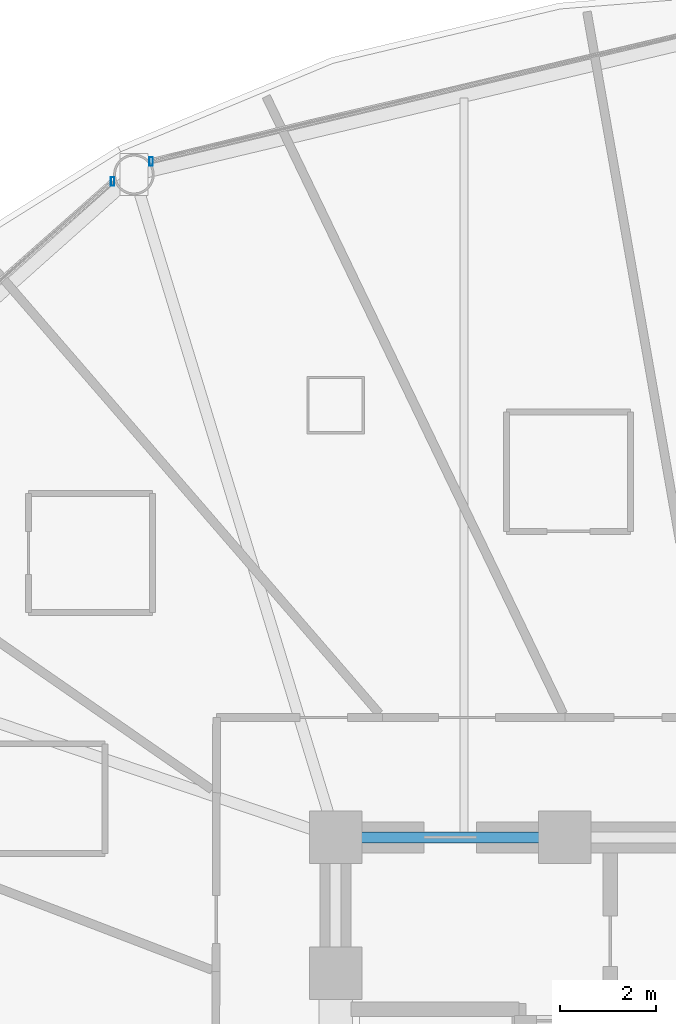
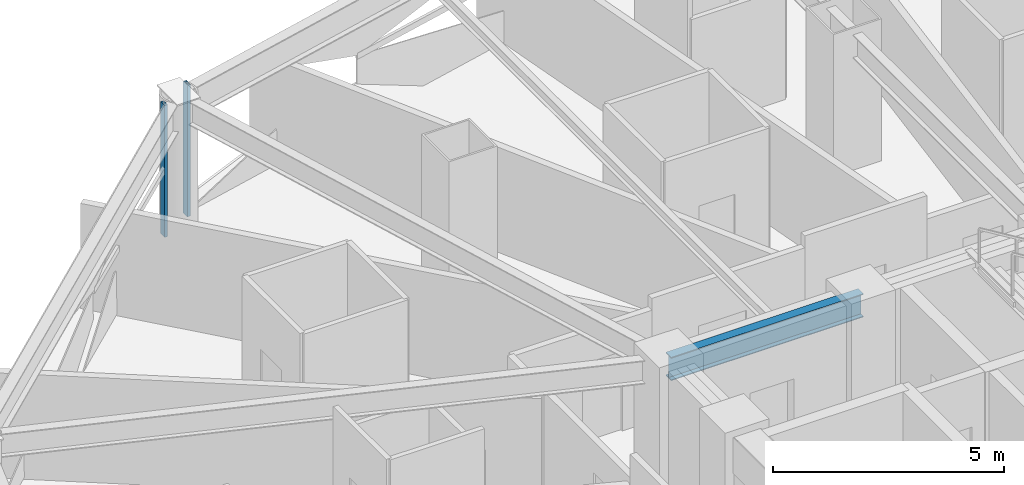
# One storey, part 15 of 33: 2 members, 1 beam, 2 elements without a shape of their own.
"""IFC4 building model written with IfcOpenShell, lengths in metres."""

from ifc_helpers import new_model, si_unit, direction, frame, origin, origin_2d, place, context, subcontext, project, spatial, hollow_rectangle, i_section, extrude, material, layer, layer_set, material_profile, profile_set, type_object, element, aggregate, save


model = new_model("IFC4")

# Units and contexts
model_context = context("Model", 3, precision=1e-05, world=origin(), true_north=direction((0.0, 1.0)))
body_context = subcontext(model_context, "Body", "Model", "MODEL_VIEW")
ifc_project = project(units=[si_unit("LENGTHUNIT", "METRE"), si_unit("AREAUNIT", "SQUARE_METRE"), si_unit("VOLUMEUNIT", "CUBIC_METRE"), si_unit("PLANEANGLEUNIT", "RADIAN"), si_unit("MASSUNIT", "GRAM", prefix="KILO")], contexts=[model_context])

# Site, building, storey
site_placement = place(None, origin())
site = spatial("IfcSite", under=ifc_project, at=site_placement, CompositionType="ELEMENT")
building_placement = place(site_placement, origin())
building = spatial("IfcBuilding", under=site, at=building_placement, Name="Vantalir Tower", CompositionType="ELEMENT")
storey_placement = place(building_placement, frame((0.0, 0.0, 68.25)))
storey = spatial("IfcBuildingStorey", under=building, at=storey_placement, Name="L16", CompositionType="ELEMENT", Elevation=68.25)

# Beam
ifc_material_1 = material(Name="Steel S355", Category="steel")
ifc_material_profile_1 = material_profile(ifc_material_1, i_section(OverallWidth=0.22998046875, OverallDepth=0.616943359375, WebThickness=0.01318359375, FlangeThickness=0.022216796875, at=origin_2d()), Name="Steel S355")
ifc_profile_set_1 = profile_set([ifc_material_profile_1], Name="Steel S355")
beam_type = type_object("IfcBeamType", Name="BM-RB-610x229", PredefinedType="BEAM", material=ifc_profile_set_1)
beam_placement = place(storey_placement, frame((26.699951171875, 32.449951171875, 3.261962890625), z_axis=(-1.0, 0.0, 0.0), x_axis=(0.0, -1.0, 0.0)))
element("IfcBeam", 1, at=beam_placement, inside=storey, type_object=beam_type, Name="L16 Core Coupling Girder 11", PredefinedType="BEAM", context=body_context, shape_type="SweptSolid", body=[
    extrude(i_section(OverallWidth=0.22998046875, OverallDepth=0.616943359375, WebThickness=0.01318359375, FlangeThickness=0.022216796875, at=origin_2d()), origin(), (0.0, 0.0, 1.0), 4.800048828125),
])

# Curtain wall, member
ifc_material_2 = material(Name="Champagne-silver PVDF aluminium and double-silver Low-E glass", Category="aluminium")
ifc_layer = layer(ifc_material_2, 0.18994140625)
ifc_layer_set = layer_set([ifc_layer], Name="Champagne-silver PVDF aluminium and double-silver Low-E glass")
curtain_wall_type = type_object("IfcCurtainWallType", Name="CW-DIAMOND-Z1", PredefinedType="USERDEFINED", material=ifc_layer_set)
curtain_wall_1_placement = place(storey_placement, origin())
curtain_wall_1 = element("IfcCurtainWall", 2, at=curtain_wall_1_placement, inside=storey, type_object=curtain_wall_type, Name="L16 Quilted Pyramid-Diamond Curtain Wall S04", ObjectType="UNITISED CURTAIN WALL", PredefinedType="USERDEFINED")
ifc_material_3 = material(Name="Champagne-silver PVDF aluminium 6063-T6", Category="aluminium")
ifc_material_profile_2 = material_profile(ifc_material_3, hollow_rectangle(XDim=0.074951171875, YDim=0.179931640625, WallThickness=0.00390625, at=origin_2d()), Name="Champagne-silver PVDF aluminium 6063-T6")
ifc_profile_set_2 = profile_set([ifc_material_profile_2], Name="Champagne-silver PVDF aluminium 6063-T6")
member_type = type_object("IfcMemberType", Name="CWM-180x75", PredefinedType="MULLION", material=ifc_profile_set_2)
member_1_placement = place(storey_placement, frame((18.037109375, 46.60302734375, 0.044921875), z_axis=(0.0, 0.0, 1.0), x_axis=(1.0, 0.0, 0.0)))
member_1 = element("IfcMember", 3, at=member_1_placement, type_object=member_type, Name="CW-L16-S04 Mullion 2", PredefinedType="MULLION", context=body_context, shape_type="SweptSolid", body=[
    extrude(hollow_rectangle(XDim=0.074951171875, YDim=0.179931640625, WallThickness=0.00390625, at=origin_2d()), origin(), (0.0, 0.0, 1.0), 3.47998046875),
])
aggregate(curtain_wall_1, [member_1])

curtain_wall_2_placement = place(storey_placement, origin())
curtain_wall_2 = element("IfcCurtainWall", 4, at=curtain_wall_2_placement, inside=storey, type_object=curtain_wall_type, Name="L16 Quilted Pyramid-Diamond Curtain Wall S05", ObjectType="UNITISED CURTAIN WALL", PredefinedType="USERDEFINED")
member_2_placement = place(storey_placement, frame((17.22900390625, 46.180908203125, 0.044921875), z_axis=(0.0, 0.0, 1.0), x_axis=(1.0, 0.0, 0.0)))
member_2 = element("IfcMember", 5, at=member_2_placement, type_object=member_type, Name="CW-L16-S05 Mullion 1", PredefinedType="MULLION", context=body_context, shape_type="SweptSolid", body=[
    extrude(hollow_rectangle(XDim=0.074951171875, YDim=0.179931640625, WallThickness=0.00390625, at=origin_2d()), origin(), (0.0, 0.0, 1.0), 3.47998046875),
])
aggregate(curtain_wall_2, [member_2])

save(model, "model.ifc")
